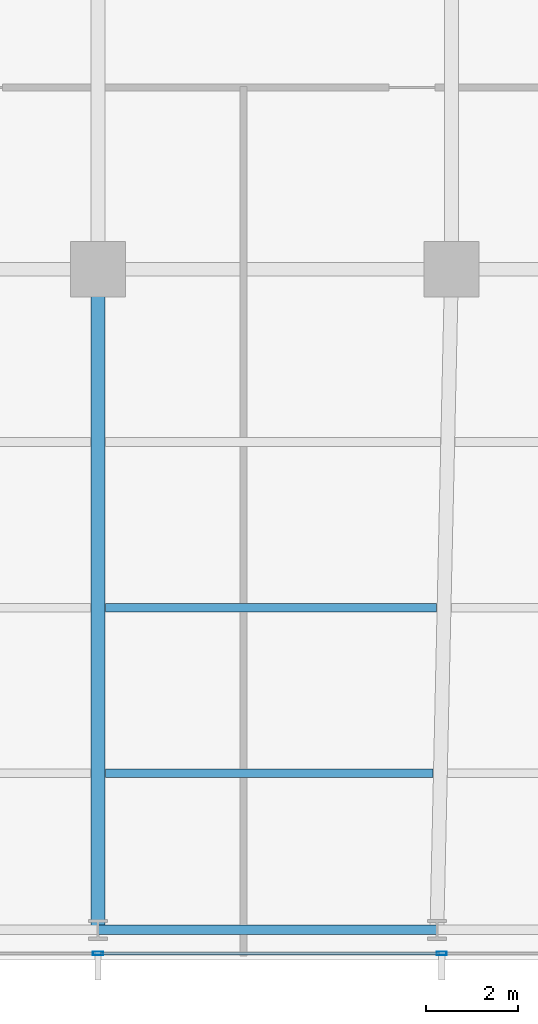
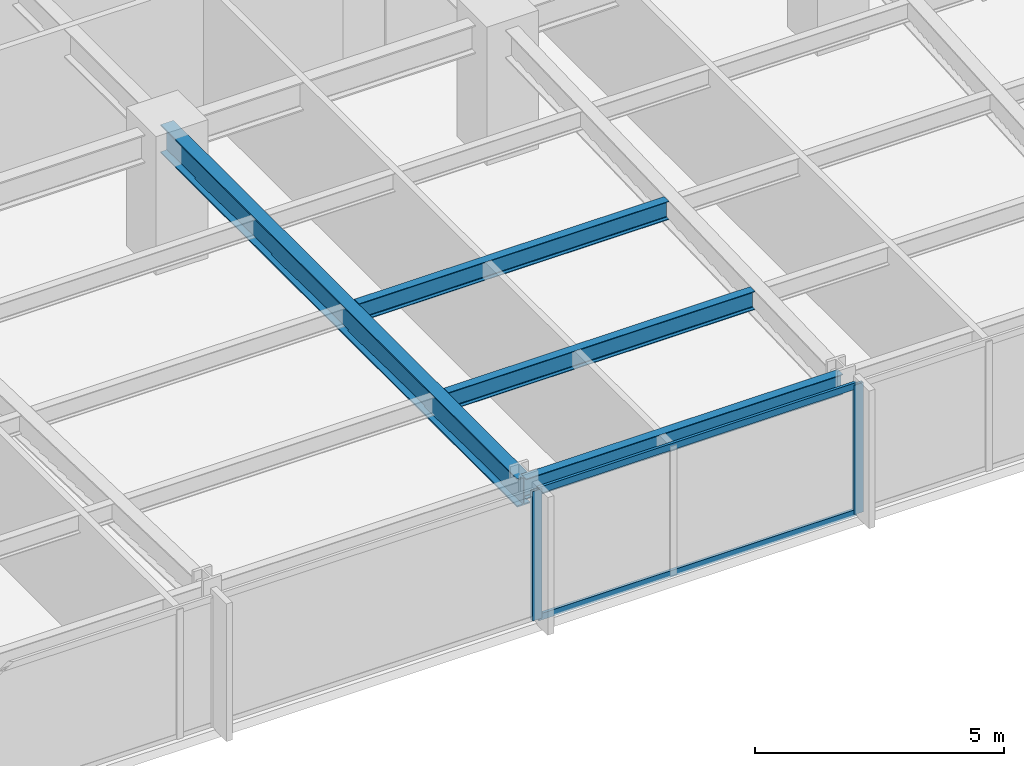
# One storey, part 11 of 32: 4 beams, 4 members, 1 element without a shape of its own.
"""IFC4 building model written with IfcOpenShell, lengths in metres."""

from ifc_helpers import new_model, si_unit, direction, frame, origin, origin_2d, place, context, subcontext, project, spatial, hollow_rectangle, i_section, extrude, material, material_profile, profile_set, type_object, element, aggregate, save


model = new_model("IFC4")

# Units and contexts
model_context = context("Model", 3, precision=1e-05, world=origin(), true_north=direction((0.0, 1.0)))
body_context = subcontext(model_context, "Body", "Model", "MODEL_VIEW")
ifc_project = project(units=[si_unit("LENGTHUNIT", "METRE"), si_unit("AREAUNIT", "SQUARE_METRE"), si_unit("VOLUMEUNIT", "CUBIC_METRE"), si_unit("PLANEANGLEUNIT", "RADIAN"), si_unit("MASSUNIT", "GRAM", prefix="KILO")], contexts=[model_context])

# Site, building, storey
site_placement = place(None, origin())
site = spatial("IfcSite", under=ifc_project, at=site_placement, CompositionType="ELEMENT")
building_placement = place(site_placement, origin())
building = spatial("IfcBuilding", under=site, at=building_placement, Name="Yelkora Congress Tower", CompositionType="ELEMENT")
storey_placement = place(building_placement, frame((0.0, 0.0, 67.800048828125)))
storey = spatial("IfcBuildingStorey", under=building, at=storey_placement, Name="L17", CompositionType="ELEMENT", Elevation=67.800048828125)

# Beams
ifc_material_1 = material(Name="Steel S355J2", Category="steel")
ifc_material_profile_1 = material_profile(ifc_material_1, i_section(OverallWidth=0.300048828125, OverallDepth=0.699951171875, WebThickness=0.01708984375, FlangeThickness=0.031982421875, FilletRadius=0.027099609375, at=origin_2d()), Name="HEB 700")
ifc_profile_set_1 = profile_set([ifc_material_profile_1], Name="Steel S355J2")
beam_type_1 = type_object("IfcBeamType", Name="BM-GIRD-HEB700", PredefinedType="BEAM", material=ifc_profile_set_1)
beam_1_placement = place(storey_placement, frame((38.39990234375, 10.85009765625, 2.829833984375), z_axis=(0.0, 1.0, 0.0), x_axis=(-1.0, 0.0, 0.0)))
element("IfcBeam", 1, at=beam_1_placement, inside=storey, type_object=beam_type_1, Name="L17 Primary Frame Girder S05", PredefinedType="BEAM", context=body_context, shape_type="SweptSolid", body=[
    extrude(i_section(OverallWidth=0.300048828125, OverallDepth=0.699951171875, WebThickness=0.01708984375, FlangeThickness=0.031982421875, FilletRadius=0.027099609375, at=origin_2d()), origin(), (0.0, 0.0, 1.0), 14.349853515625),
])
ifc_material_profile_2 = material_profile(ifc_material_1, i_section(OverallWidth=0.18994140625, OverallDepth=0.449951171875, WebThickness=0.009521484375, FlangeThickness=0.0146484375, FilletRadius=0.02099609375, at=origin_2d()), Name="IPE 450")
ifc_profile_set_2 = profile_set([ifc_material_profile_2], Name="Steel S355J2")
beam_type_2 = type_object("IfcBeamType", Name="BM-JOIST-IPE450", PredefinedType="JOIST", material=ifc_profile_set_2)
beam_2_placement = place(storey_placement, frame((38.56005859375, 14.25, 2.954833984375), z_axis=(1.0, 0.0, 0.0), x_axis=(0.0, 1.0, 0.0)))
element("IfcBeam", 2, at=beam_2_placement, inside=storey, type_object=beam_type_2, Name="L17 Composite Floor Joist 5", PredefinedType="JOIST", context=body_context, shape_type="SweptSolid", body=[
    extrude(i_section(OverallWidth=0.18994140625, OverallDepth=0.449951171875, WebThickness=0.009521484375, FlangeThickness=0.0146484375, FilletRadius=0.02099609375, at=origin_2d()), origin(), (0.0, 0.0, 1.0), 7.11767578125),
])
beam_3_placement = place(storey_placement, frame((38.56005859375, 17.85009765625, 2.954833984375), z_axis=(1.0, 0.0, 0.0), x_axis=(0.0, 1.0, 0.0)))
element("IfcBeam", 3, at=beam_3_placement, inside=storey, type_object=beam_type_2, Name="L17 Composite Floor Joist 13", PredefinedType="JOIST", context=body_context, shape_type="SweptSolid", body=[
    extrude(i_section(OverallWidth=0.18994140625, OverallDepth=0.449951171875, WebThickness=0.009521484375, FlangeThickness=0.0146484375, FilletRadius=0.02099609375, at=origin_2d()), origin(), (0.0, 0.0, 1.0), 7.197265625),
])
ifc_material_profile_3 = material_profile(ifc_material_1, i_section(OverallWidth=0.199951171875, OverallDepth=0.5, WebThickness=0.01025390625, FlangeThickness=0.01611328125, FilletRadius=0.02099609375, at=origin_2d()), Name="IPE 500")
ifc_profile_set_3 = profile_set([ifc_material_profile_3], Name="Steel S355J2")
beam_type_3 = type_object("IfcBeamType", Name="BM-SPAN-IPE500", PredefinedType="SPANDREL", material=ifc_profile_set_3)
beam_4_placement = place(storey_placement, frame((38.39990234375, 10.85009765625, 2.929931640625), z_axis=(1.0, 0.0, 0.0), x_axis=(0.0, 1.0, 0.0)))
element("IfcBeam", 4, at=beam_4_placement, inside=storey, type_object=beam_type_3, Name="L17 Perimeter Beam 6", PredefinedType="SPANDREL", context=body_context, shape_type="SweptSolid", body=[
    extrude(i_section(OverallWidth=0.199951171875, OverallDepth=0.5, WebThickness=0.01025390625, FlangeThickness=0.01611328125, FilletRadius=0.02099609375, at=origin_2d()), origin(), (0.0, 0.0, 1.0), 7.362548828125),
])

# Curtain wall, members
ifc_material_2 = material(Name="Anodised aluminium and insulated glass", Category="aluminium")
curtain_wall_type = type_object("IfcCurtainWallType", Name="CW-SYS-B1", PredefinedType="NOTDEFINED", material=ifc_material_2)
curtain_wall_placement = place(storey_placement, origin())
curtain_wall = element("IfcCurtainWall", 5, at=curtain_wall_placement, inside=storey, type_object=curtain_wall_type, Name="L17 Unitised Curtain Wall 20", PredefinedType="NOTDEFINED")
ifc_material_3 = material(Name="Anodised aluminium 6063-T6", Category="aluminium")
ifc_material_profile_4 = material_profile(ifc_material_3, hollow_rectangle(XDim=0.074951171875, YDim=0.219970703125, WallThickness=0.0048828125, at=origin_2d()), Name="ALU 75x220x5")
ifc_profile_set_4 = profile_set([ifc_material_profile_4], Name="Anodised aluminium 6063-T6")
member_type_1 = type_object("IfcMemberType", Name="MEM-ML-B1", PredefinedType="MULLION", material=ifc_profile_set_4)
member_1_placement = place(storey_placement, frame((45.864990234375, 10.340087890625, 0.0), z_axis=(0.0, 0.0, 1.0), x_axis=(0.0, -1.0, 0.0)))
member_1 = element("IfcMember", 6, at=member_1_placement, type_object=member_type_1, Name="CW-B1 mullion 4", PredefinedType="MULLION", context=body_context, shape_type="SweptSolid", body=[
    extrude(hollow_rectangle(XDim=0.074951171875, YDim=0.219970703125, WallThickness=0.0048828125, at=origin_2d()), origin(), (0.0, 0.0, 1.0), 3.179931640625),
])
member_2_placement = place(storey_placement, frame((38.39990234375, 10.340087890625, 0.0), z_axis=(0.0, 0.0, 1.0), x_axis=(0.0, -1.0, 0.0)))
member_2 = element("IfcMember", 7, at=member_2_placement, type_object=member_type_1, Name="CW-B1 mullion 5", PredefinedType="MULLION", context=body_context, shape_type="SweptSolid", body=[
    extrude(hollow_rectangle(XDim=0.074951171875, YDim=0.219970703125, WallThickness=0.0048828125, at=origin_2d()), origin(), (0.0, 0.0, 1.0), 3.179931640625),
])
ifc_material_profile_5 = material_profile(ifc_material_3, hollow_rectangle(XDim=0.06494140625, YDim=0.159912109375, WallThickness=0.00390625, at=origin_2d()), Name="ALU 65x160x4")
ifc_profile_set_5 = profile_set([ifc_material_profile_5], Name="Anodised aluminium 6063-T6")
member_type_2 = type_object("IfcMemberType", Name="MEM-TR-B1", PredefinedType="USERDEFINED", material=ifc_profile_set_5)
member_3_placement = place(storey_placement, frame((45.827392578125, 10.340087890625, 0.032470703125), z_axis=(-1.0, 0.0, 0.0), x_axis=(0.0, -1.0, 0.0)))
member_3 = element("IfcMember", 8, at=member_3_placement, type_object=member_type_2, Name="CW-B1 transom 4.1", ObjectType="TRANSOM", PredefinedType="USERDEFINED", context=body_context, shape_type="SweptSolid", body=[
    extrude(hollow_rectangle(XDim=0.06494140625, YDim=0.159912109375, WallThickness=0.00390625, at=origin_2d()), origin(), (0.0, 0.0, 1.0), 7.389892578125),
])
member_4_placement = place(storey_placement, frame((45.827392578125, 10.340087890625, 3.1474609375), z_axis=(-1.0, 0.0, 0.0), x_axis=(0.0, -1.0, 0.0)))
member_4 = element("IfcMember", 9, at=member_4_placement, type_object=member_type_2, Name="CW-B1 transom 4.2", ObjectType="TRANSOM", PredefinedType="USERDEFINED", context=body_context, shape_type="SweptSolid", body=[
    extrude(hollow_rectangle(XDim=0.06494140625, YDim=0.159912109375, WallThickness=0.00390625, at=origin_2d()), origin(), (0.0, 0.0, 1.0), 7.389892578125),
])
aggregate(curtain_wall, [member_1, member_2, member_3, member_4])

save(model, "model.ifc")
